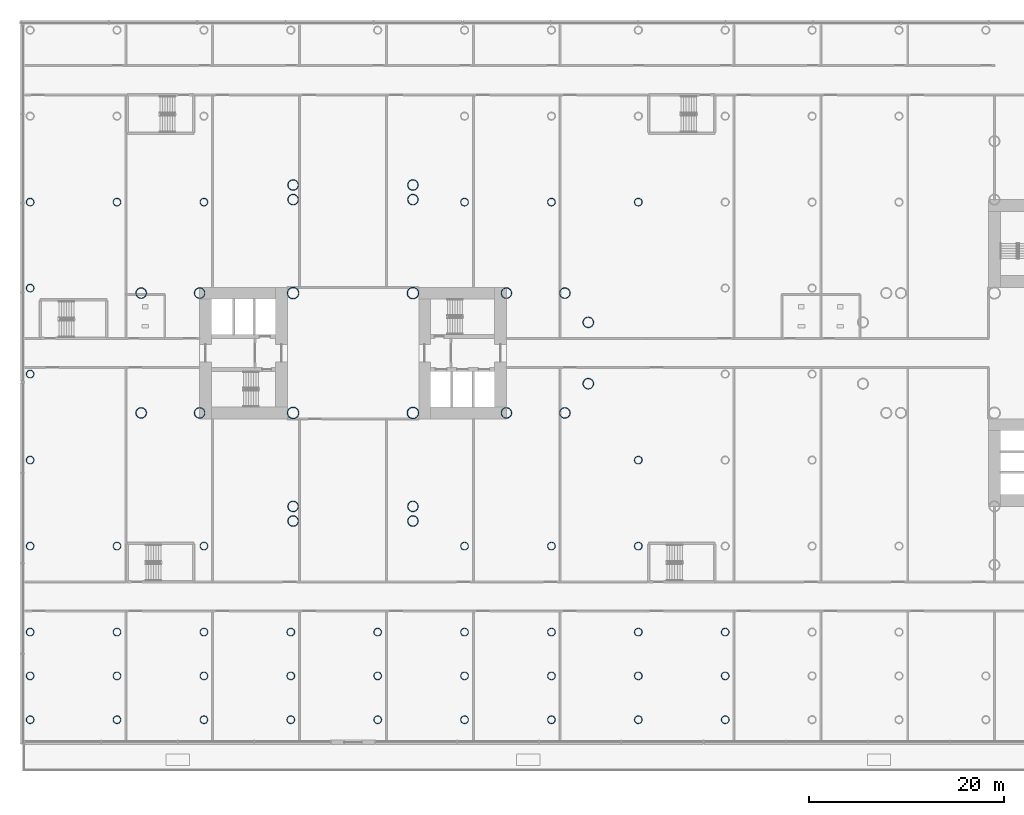
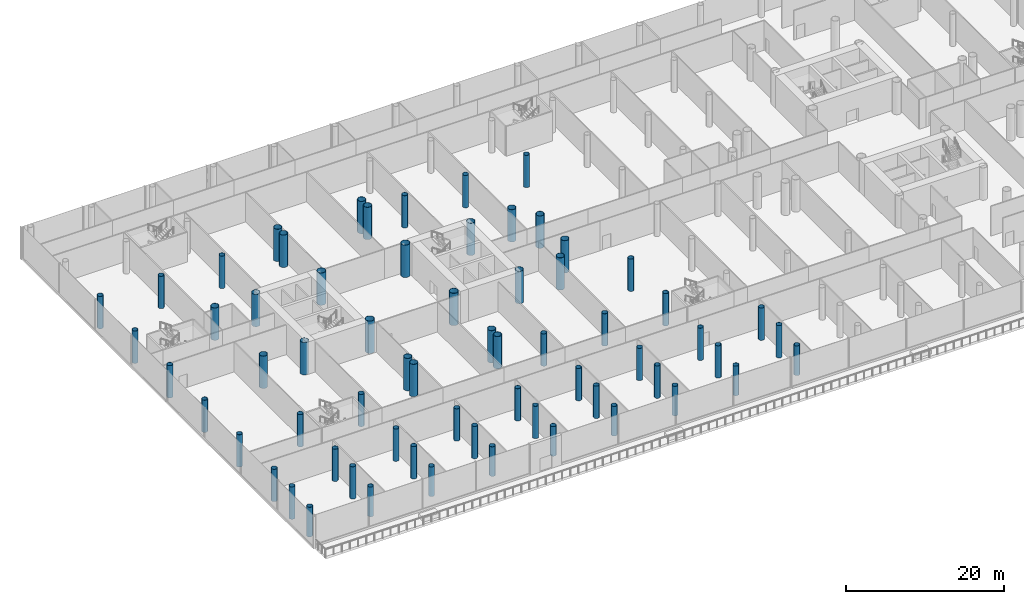
# One storey, part 1 of 59: 65 columns.
"""IFC4 building model written with IfcOpenShell, lengths in metres."""

from ifc_helpers import new_model, si_unit, direction, frame, origin, origin_2d, place, context, subcontext, project, spatial, hollow_circle, extrude, material, material_profile, profile_set, type_object, element, save


model = new_model("IFC4")

# Units and contexts
model_context = context("Model", 3, precision=1e-05, world=origin(), true_north=direction((0.0, 1.0)))
body_context = subcontext(model_context, "Body", "Model", "MODEL_VIEW")
ifc_project = project(units=[si_unit("LENGTHUNIT", "METRE"), si_unit("AREAUNIT", "SQUARE_METRE"), si_unit("VOLUMEUNIT", "CUBIC_METRE"), si_unit("PLANEANGLEUNIT", "RADIAN"), si_unit("MASSUNIT", "GRAM", prefix="KILO")], contexts=[model_context])

# Site, building, storey
site_placement = place(None, origin())
site = spatial("IfcSite", under=ifc_project, at=site_placement, CompositionType="ELEMENT")
building_placement = place(site_placement, origin())
building = spatial("IfcBuilding", under=site, at=building_placement, Name="Ipe Terrace Towers", CompositionType="ELEMENT")
storey_placement = place(building_placement, frame((0.0, 0.0, 6.0)))
storey = spatial("IfcBuildingStorey", under=building, at=storey_placement, Name="L01", CompositionType="ELEMENT", Elevation=6.0)

# Columns
ifc_material_1 = material(Name="Steel S355 tube with Concrete C60/75 fill", Category="concrete")
ifc_material_profile_1 = material_profile(ifc_material_1, hollow_circle(Radius=0.550048828125, WallThickness=0.0400390625, at=origin_2d()), Name="CHS-1100x40")
ifc_profile_set_1 = profile_set([ifc_material_profile_1], Name="Steel S355 tube with Concrete C60/75 fill")
column_type_1 = type_object("IfcColumnType", Name="CH02 COLUMN CHS-1100x40", PredefinedType="COLUMN", material=ifc_profile_set_1)
for number, where, z_axis, x_axis, name in (
    (1, (-20.25, -6.14990234375, 0.0), (0.0, 0.0, 1.0), (1.0, 0.0, 0.0), "Column T1-C-A01"),
    (2, (-20.25, 6.14990234375, 0.0), (0.0, 0.0, 1.0), (1.0, 0.0, 0.0), "Column T1-C-A02"),
    (3, (-14.25, -6.14990234375, 0.0), (0.0, 0.0, 1.0), (1.0, 0.0, 0.0), "Column T1-C-A03"),
    (4, (-14.25, 6.14990234375, 0.0), (0.0, 0.0, 1.0), (1.0, 0.0, 0.0), "Column T1-C-A04"),
    (5, (-11.85009765625, -3.14990234375, 0.0), (0.0, 0.0, 1.0), (1.0, 0.0, 0.0), "Column T1-C-A05"),
    (6, (-11.85009765625, 3.14990234375, 0.0), (0.0, 0.0, 1.0), (1.0, 0.0, 0.0), "Column T1-C-A06"),
    (7, (-29.85009765625, 15.75, 0.0), (0.0, 0.0, 1.0), (1.0, 0.0, 0.0), "Column T1-C-B03"),
    (8, (-42.14990234375, 15.75, 0.0), (0.0, 0.0, 1.0), (1.0, 0.0, 0.0), "Column T1-C-B04"),
    (9, (-29.85009765625, 17.25, 0.0), (0.0, 0.0, 1.0), (1.0, 0.0, 0.0), "Column T1-C-B05"),
    (10, (-42.14990234375, 17.25, 0.0), (0.0, 0.0, 1.0), (1.0, 0.0, 0.0), "Column T1-C-B06"),
    (11, (-51.75, -6.14990234375, 0.0), (0.0, 0.0, 1.0), (1.0, 0.0, 0.0), "Column T1-C-C01"),
    (12, (-51.75, 6.14990234375, 0.0), (0.0, 0.0, 1.0), (1.0, 0.0, 0.0), "Column T1-C-C02"),
    (13, (-57.75, -6.14990234375, 0.0), (0.0, 0.0, 1.0), (1.0, 0.0, 0.0), "Column T1-C-C03"),
    (14, (-57.75, 6.14990234375, 0.0), (0.0, 0.0, 1.0), (1.0, 0.0, 0.0), "Column T1-C-C04"),
    (15, (-42.14990234375, -15.75, 0.0), (0.0, 0.0, 1.0), (1.0, 0.0, 0.0), "Column T1-C-D03"),
    (16, (-29.85009765625, -15.75, 0.0), (0.0, 0.0, 1.0), (1.0, 0.0, 0.0), "Column T1-C-D04"),
    (17, (-42.14990234375, -17.25, 0.0), (0.0, 0.0, 1.0), (1.0, 0.0, 0.0), "Column T1-C-D05"),
    (18, (-29.85009765625, -17.25, 0.0), (0.0, 0.0, 1.0), (1.0, 0.0, 0.0), "Column T1-C-D06"),
):
    element("IfcColumn", number, at=place(storey_placement, frame(where, z_axis=z_axis, x_axis=x_axis)), inside=storey, type_object=column_type_1, Name=name, PredefinedType="COLUMN", context=body_context, shape_type="SweptSolid", body=[
        extrude(hollow_circle(Radius=0.550048828125, WallThickness=0.0400390625, at=origin_2d()), origin(), (0.0, 0.0, 1.0), 5.0),
    ])
ifc_material_2 = material(Name="Steel S355 tube with Concrete C60/75 fill", Category="concrete")
ifc_material_profile_2 = material_profile(ifc_material_2, hollow_circle(Radius=0.60009765625, WallThickness=0.044921875, at=origin_2d()), Name="CHS-1200x45")
ifc_profile_set_2 = profile_set([ifc_material_profile_2], Name="Steel S355 tube with Concrete C60/75 fill")
column_type_2 = type_object("IfcColumnType", Name="CH03 COLUMN CHS-1200x45", PredefinedType="COLUMN", material=ifc_profile_set_2)
for number, where, z_axis, x_axis, name in (
    (19, (-42.14990234375, -6.14990234375, 0.0), (0.0, 0.0, 1.0), (1.0, 0.0, 0.0), "Column T1-C-E01"),
    (20, (-29.85009765625, -6.14990234375, 0.0), (0.0, 0.0, 1.0), (1.0, 0.0, 0.0), "Column T1-C-E02"),
    (21, (-29.85009765625, 6.14990234375, 0.0), (0.0, 0.0, 1.0), (1.0, 0.0, 0.0), "Column T1-C-E03"),
    (22, (-42.14990234375, 6.14990234375, 0.0), (0.0, 0.0, 1.0), (1.0, 0.0, 0.0), "Column T1-C-E04"),
):
    element("IfcColumn", number, at=place(storey_placement, frame(where, z_axis=z_axis, x_axis=x_axis)), inside=storey, type_object=column_type_2, Name=name, PredefinedType="COLUMN", context=body_context, shape_type="SweptSolid", body=[
        extrude(hollow_circle(Radius=0.60009765625, WallThickness=0.044921875, at=origin_2d()), origin(), (0.0, 0.0, 1.0), 5.0),
    ])
ifc_material_3 = material(Name="Steel S355 tube with Concrete C60/75 fill", Category="concrete")
ifc_material_profile_3 = material_profile(ifc_material_3, hollow_circle(Radius=0.39990234375, WallThickness=0.028076171875, at=origin_2d()), Name="CHS-800x28")
ifc_profile_set_3 = profile_set([ifc_material_profile_3], Name="Steel S355 tube with Concrete C60/75 fill")
column_type_3 = type_object("IfcColumnType", Name="CH09 PODIUM COLUMN CHS-800x28", PredefinedType="COLUMN", material=ifc_profile_set_3)
for number, where, z_axis, x_axis, name in (
    (23, (-69.14990234375, -37.64990234375, 0.0), (0.0, 0.0, 1.0), (1.0, 0.0, 0.0), "Column PD-C-B01"),
    (24, (-60.22998046875, -37.64990234375, 0.0), (0.0, 0.0, 1.0), (1.0, 0.0, 0.0), "Column PD-C-B02"),
    (25, (-51.31005859375, -37.64990234375, 0.0), (0.0, 0.0, 1.0), (1.0, 0.0, 0.0), "Column PD-C-B03"),
    (26, (-42.389892578125, -37.64990234375, 0.0), (0.0, 0.0, 1.0), (1.0, 0.0, 0.0), "Column PD-C-B04"),
    (27, (-33.469970703125, -37.64990234375, 0.0), (0.0, 0.0, 1.0), (1.0, 0.0, 0.0), "Column PD-C-B05"),
    (28, (-24.550048828125, -37.64990234375, 0.0), (0.0, 0.0, 1.0), (1.0, 0.0, 0.0), "Column PD-C-B06"),
    (29, (-15.6298828125, -37.64990234375, 0.0), (0.0, 0.0, 1.0), (1.0, 0.0, 0.0), "Column PD-C-B07"),
    (30, (-6.7099609375, -37.64990234375, 0.0), (0.0, 0.0, 1.0), (1.0, 0.0, 0.0), "Column PD-C-B08"),
    (31, (2.2099609375, -37.64990234375, 0.0), (0.0, 0.0, 1.0), (1.0, 0.0, 0.0), "Column PD-C-B09"),
):
    element("IfcColumn", number, at=place(storey_placement, frame(where, z_axis=z_axis, x_axis=x_axis)), inside=storey, type_object=column_type_3, Name=name, PredefinedType="COLUMN", context=body_context, shape_type="SweptSolid", body=[
        extrude(hollow_circle(Radius=0.39990234375, WallThickness=0.028076171875, at=origin_2d()), origin(), (0.0, 0.0, 1.0), 4.580078125),
    ])
for number, where, z_axis, x_axis, name in (
    (32, (-69.14990234375, -33.14990234375, 0.0), (0.0, 0.0, 1.0), (1.0, 0.0, 0.0), "Column PD-C-C01"),
    (33, (-60.22998046875, -33.14990234375, 0.0), (0.0, 0.0, 1.0), (1.0, 0.0, 0.0), "Column PD-C-C02"),
    (34, (-51.31005859375, -33.14990234375, 0.0), (0.0, 0.0, 1.0), (1.0, 0.0, 0.0), "Column PD-C-C03"),
    (35, (-42.389892578125, -33.14990234375, 0.0), (0.0, 0.0, 1.0), (1.0, 0.0, 0.0), "Column PD-C-C04"),
    (36, (-33.469970703125, -33.14990234375, 0.0), (0.0, 0.0, 1.0), (1.0, 0.0, 0.0), "Column PD-C-C05"),
    (37, (-24.550048828125, -33.14990234375, 0.0), (0.0, 0.0, 1.0), (1.0, 0.0, 0.0), "Column PD-C-C06"),
    (38, (-15.6298828125, -33.14990234375, 0.0), (0.0, 0.0, 1.0), (1.0, 0.0, 0.0), "Column PD-C-C07"),
    (39, (-6.7099609375, -33.14990234375, 0.0), (0.0, 0.0, 1.0), (1.0, 0.0, 0.0), "Column PD-C-C08"),
    (40, (2.2099609375, -33.14990234375, 0.0), (0.0, 0.0, 1.0), (1.0, 0.0, 0.0), "Column PD-C-C09"),
    (41, (-69.14990234375, -28.64990234375, 0.0), (0.0, 0.0, 1.0), (1.0, 0.0, 0.0), "Column PD-C-D01"),
    (42, (-60.22998046875, -28.64990234375, 0.0), (0.0, 0.0, 1.0), (1.0, 0.0, 0.0), "Column PD-C-D02"),
    (43, (-51.31005859375, -28.64990234375, 0.0), (0.0, 0.0, 1.0), (1.0, 0.0, 0.0), "Column PD-C-D03"),
    (44, (-42.389892578125, -28.64990234375, 0.0), (0.0, 0.0, 1.0), (1.0, 0.0, 0.0), "Column PD-C-D04"),
    (45, (-33.469970703125, -28.64990234375, 0.0), (0.0, 0.0, 1.0), (1.0, 0.0, 0.0), "Column PD-C-D05"),
    (46, (-24.550048828125, -28.64990234375, 0.0), (0.0, 0.0, 1.0), (1.0, 0.0, 0.0), "Column PD-C-D06"),
    (47, (-15.6298828125, -28.64990234375, 0.0), (0.0, 0.0, 1.0), (1.0, 0.0, 0.0), "Column PD-C-D07"),
    (48, (-6.7099609375, -28.64990234375, 0.0), (0.0, 0.0, 1.0), (1.0, 0.0, 0.0), "Column PD-C-D08"),
    (49, (2.2099609375, -28.64990234375, 0.0), (0.0, 0.0, 1.0), (1.0, 0.0, 0.0), "Column PD-C-D09"),
    (50, (-69.14990234375, -19.821044921875, 0.0), (0.0, 0.0, 1.0), (1.0, 0.0, 0.0), "Column PD-C-E01"),
    (51, (-60.22998046875, -19.821044921875, 0.0), (0.0, 0.0, 1.0), (1.0, 0.0, 0.0), "Column PD-C-E02"),
    (52, (-51.31005859375, -19.821044921875, 0.0), (0.0, 0.0, 1.0), (1.0, 0.0, 0.0), "Column PD-C-E03"),
    (53, (-24.550048828125, -19.821044921875, 0.0), (0.0, 0.0, 1.0), (1.0, 0.0, 0.0), "Column PD-C-E06"),
    (54, (-15.6298828125, -19.821044921875, 0.0), (0.0, 0.0, 1.0), (1.0, 0.0, 0.0), "Column PD-C-E07"),
    (55, (-6.7099609375, -19.821044921875, 0.0), (0.0, 0.0, 1.0), (1.0, 0.0, 0.0), "Column PD-C-E08"),
    (56, (-69.14990234375, -10.992919921875, 0.0), (0.0, 0.0, 1.0), (1.0, 0.0, 0.0), "Column PD-C-F01"),
    (57, (-6.7099609375, -10.992919921875, 0.0), (0.0, 0.0, 1.0), (1.0, 0.0, 0.0), "Column PD-C-F08"),
    (58, (-69.14990234375, -2.1640625, 0.0), (0.0, 0.0, 1.0), (1.0, 0.0, 0.0), "Column PD-C-G01"),
    (59, (-69.14990234375, 6.6640625, 0.0), (0.0, 0.0, 1.0), (1.0, 0.0, 0.0), "Column PD-C-H01"),
    (60, (-69.14990234375, 15.492919921875, 0.0), (0.0, 0.0, 1.0), (1.0, 0.0, 0.0), "Column PD-C-I01"),
    (61, (-60.22998046875, 15.492919921875, 0.0), (0.0, 0.0, 1.0), (1.0, 0.0, 0.0), "Column PD-C-I02"),
    (62, (-51.31005859375, 15.492919921875, 0.0), (0.0, 0.0, 1.0), (1.0, 0.0, 0.0), "Column PD-C-I03"),
    (63, (-24.550048828125, 15.492919921875, 0.0), (0.0, 0.0, 1.0), (1.0, 0.0, 0.0), "Column PD-C-I06"),
    (64, (-15.6298828125, 15.492919921875, 0.0), (0.0, 0.0, 1.0), (1.0, 0.0, 0.0), "Column PD-C-I07"),
    (65, (-6.7099609375, 15.492919921875, 0.0), (0.0, 0.0, 1.0), (1.0, 0.0, 0.0), "Column PD-C-I08"),
):
    element("IfcColumn", number, at=place(storey_placement, frame(where, z_axis=z_axis, x_axis=x_axis)), inside=storey, type_object=column_type_3, Name=name, PredefinedType="COLUMN", context=body_context, shape_type="SweptSolid", body=[
        extrude(hollow_circle(Radius=0.39990234375, WallThickness=0.028076171875, at=origin_2d()), origin(), (0.0, 0.0, 1.0), 5.0),
    ])

save(model, "model.ifc")
